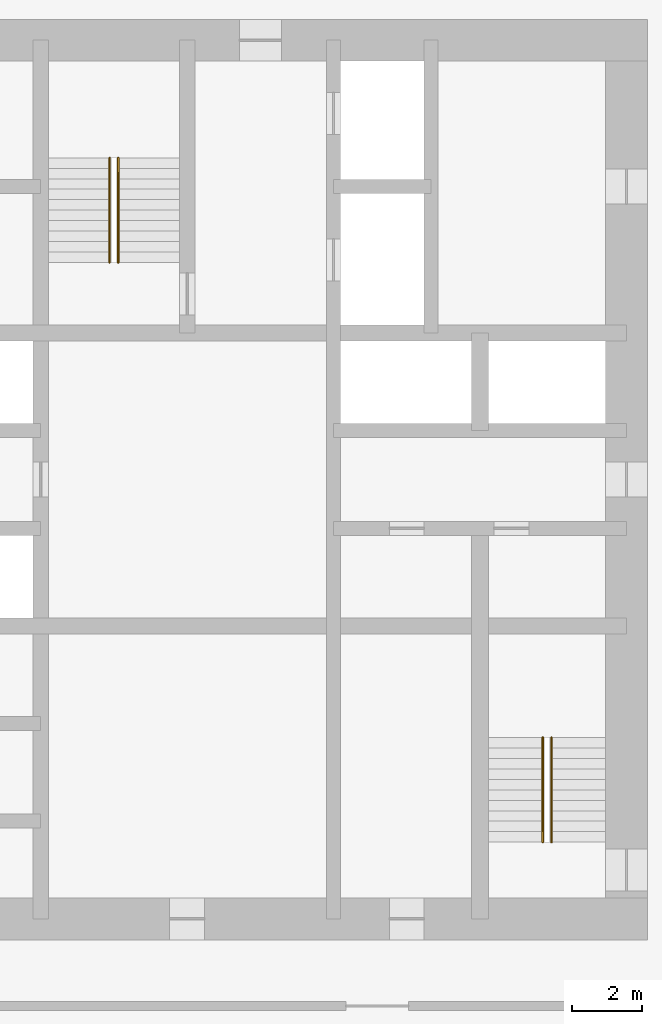
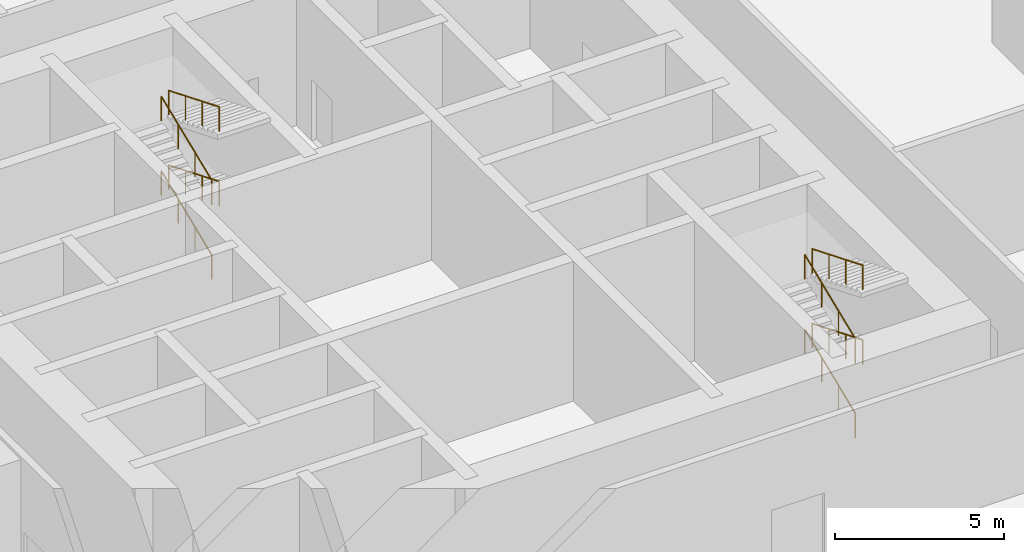
# One storey, part 10 of 10: 8 railings.
"""IFC4 building model written with IfcOpenShell, lengths in metres."""

from ifc_helpers import new_model, si_unit, direction, frame, origin, origin_2d, place, context, subcontext, project, spatial, circle, extrude, material, type_object, element, save


model = new_model("IFC4")

# Units and contexts
model_context = context("Model", 3, precision=1e-05, world=origin(), true_north=direction((0.0, 1.0)))
body_context = subcontext(model_context, "Body", "Model", "MODEL_VIEW")
ifc_project = project(units=[si_unit("LENGTHUNIT", "METRE"), si_unit("AREAUNIT", "SQUARE_METRE"), si_unit("VOLUMEUNIT", "CUBIC_METRE"), si_unit("PLANEANGLEUNIT", "RADIAN"), si_unit("MASSUNIT", "GRAM", prefix="KILO")], contexts=[model_context])

# Site, building, storey
site_placement = place(None, origin())
site = spatial("IfcSite", under=ifc_project, at=site_placement, CompositionType="ELEMENT")
building_placement = place(site_placement, origin())
building = spatial("IfcBuilding", under=site, at=building_placement, Name="Dunama Terrace Hotel", CompositionType="ELEMENT")
storey_placement = place(building_placement, frame((0.0, 0.0, 220.199951171875)))
storey = spatial("IfcBuildingStorey", under=building, at=storey_placement, Name="L57", CompositionType="ELEMENT", Elevation=220.199951171875)

# Railings
ifc_material = material(Name="Stainless steel handrail", Category="steel")
railing_type = type_object("IfcRailingType", Name="Stair handrail 900", PredefinedType="HANDRAIL", material=ifc_material)
railing_1_placement = place(storey_placement, frame((27.175048828125, 35.625, 0.122802734375)))
element("IfcRailing", 1, at=railing_1_placement, inside=storey, type_object=railing_type, Name="Handrail ST1 L57", PredefinedType="HANDRAIL", context=body_context, shape_type="SweptSolid", body=[
    extrude(circle(Radius=0.02392578125, at=origin_2d()), frame((0.0, 0.0, 0.8759765625), z_axis=(0.0, 0.92554455658, 0.37863871142), x_axis=(-1.0, 0.0, 0.0)), (0.0, 0.0, 1.0), 3.241455078125),
    extrude(circle(Radius=0.02099609375, at=origin_2d()), origin(), (0.0, 0.0, 1.0), 0.851806640625),
    extrude(circle(Radius=0.02099609375, at=origin_2d()), frame((0.0, 1.0, 0.4091796875)), (0.0, 0.0, 1.0), 0.851806640625),
    extrude(circle(Radius=0.02099609375, at=origin_2d()), frame((0.0, 2.0, 0.818115234375)), (0.0, 0.0, 1.0), 0.851806640625),
    extrude(circle(Radius=0.02099609375, at=origin_2d()), frame((0.0, 3.0, 1.227294921875)), (0.0, 0.0, 1.0), 0.851806640625),
])
railing_2_placement = place(storey_placement, frame((27.425048828125, 38.625, 1.47265625)))
element("IfcRailing", 2, at=railing_2_placement, inside=storey, type_object=railing_type, Name="Handrail ST1 L57", PredefinedType="HANDRAIL", context=body_context, shape_type="SweptSolid", body=[
    extrude(circle(Radius=0.02392578125, at=origin_2d()), frame((0.0, 0.0, 0.8759765625), z_axis=(0.0, -0.92554455658, 0.37863871142), x_axis=(1.0, 0.0, 0.0)), (0.0, 0.0, 1.0), 3.241455078125),
    extrude(circle(Radius=0.02099609375, at=origin_2d()), origin(), (0.0, 0.0, 1.0), 0.851806640625),
    extrude(circle(Radius=0.02099609375, at=origin_2d()), frame((0.0, -1.0, 0.4091796875)), (0.0, 0.0, 1.0), 0.851806640625),
    extrude(circle(Radius=0.02099609375, at=origin_2d()), frame((0.0, -2.0, 0.818115234375)), (0.0, 0.0, 1.0), 0.851806640625),
    extrude(circle(Radius=0.02099609375, at=origin_2d()), frame((0.0, -3.0, 1.227294921875)), (0.0, 0.0, 1.0), 0.851806640625),
])
railing_3_placement = place(storey_placement, frame((27.175048828125, 35.625, 2.82275390625)))
element("IfcRailing", 3, at=railing_3_placement, inside=storey, type_object=railing_type, Name="Handrail ST1 L57", PredefinedType="HANDRAIL", context=body_context, shape_type="SweptSolid", body=[
    extrude(circle(Radius=0.02392578125, at=origin_2d()), frame((0.0, 0.0, 0.8759765625), z_axis=(0.0, 0.92554455658, 0.37863871142), x_axis=(-1.0, 0.0, 0.0)), (0.0, 0.0, 1.0), 3.241455078125),
    extrude(circle(Radius=0.02099609375, at=origin_2d()), origin(), (0.0, 0.0, 1.0), 0.851806640625),
    extrude(circle(Radius=0.02099609375, at=origin_2d()), frame((0.0, 1.0, 0.4091796875)), (0.0, 0.0, 1.0), 0.851806640625),
    extrude(circle(Radius=0.02099609375, at=origin_2d()), frame((0.0, 2.0, 0.818115234375)), (0.0, 0.0, 1.0), 0.851806640625),
    extrude(circle(Radius=0.02099609375, at=origin_2d()), frame((0.0, 3.0, 1.227294921875)), (0.0, 0.0, 1.0), 0.851806640625),
])
railing_4_placement = place(storey_placement, frame((27.425048828125, 38.625, 4.1728515625)))
element("IfcRailing", 4, at=railing_4_placement, inside=storey, type_object=railing_type, Name="Handrail ST1 L57", PredefinedType="HANDRAIL", context=body_context, shape_type="SweptSolid", body=[
    extrude(circle(Radius=0.02392578125, at=origin_2d()), frame((0.0, 0.0, 0.8759765625), z_axis=(0.0, -0.92554455658, 0.37863871142), x_axis=(1.0, 0.0, 0.0)), (0.0, 0.0, 1.0), 3.241455078125),
    extrude(circle(Radius=0.02099609375, at=origin_2d()), origin(), (0.0, 0.0, 1.0), 0.851806640625),
    extrude(circle(Radius=0.02099609375, at=origin_2d()), frame((0.0, -1.0, 0.4091796875)), (0.0, 0.0, 1.0), 0.851806640625),
    extrude(circle(Radius=0.02099609375, at=origin_2d()), frame((0.0, -2.0, 0.818115234375)), (0.0, 0.0, 1.0), 0.851806640625),
    extrude(circle(Radius=0.02099609375, at=origin_2d()), frame((0.0, -3.0, 1.227294921875)), (0.0, 0.0, 1.0), 0.851806640625),
])
railing_5_placement = place(storey_placement, frame((39.60009765625, 19.0, 0.122802734375)))
element("IfcRailing", 5, at=railing_5_placement, inside=storey, type_object=railing_type, Name="Handrail ST2 L57", PredefinedType="HANDRAIL", context=body_context, shape_type="SweptSolid", body=[
    extrude(circle(Radius=0.02392578125, at=origin_2d()), frame((0.0, 0.0, 0.8759765625), z_axis=(0.0, 0.92554455658, 0.37863871142), x_axis=(-1.0, 0.0, 0.0)), (0.0, 0.0, 1.0), 3.241455078125),
    extrude(circle(Radius=0.02099609375, at=origin_2d()), origin(), (0.0, 0.0, 1.0), 0.851806640625),
    extrude(circle(Radius=0.02099609375, at=origin_2d()), frame((0.0, 1.0, 0.4091796875)), (0.0, 0.0, 1.0), 0.851806640625),
    extrude(circle(Radius=0.02099609375, at=origin_2d()), frame((0.0, 2.0, 0.818115234375)), (0.0, 0.0, 1.0), 0.851806640625),
    extrude(circle(Radius=0.02099609375, at=origin_2d()), frame((0.0, 3.0, 1.227294921875)), (0.0, 0.0, 1.0), 0.851806640625),
])
railing_6_placement = place(storey_placement, frame((39.85009765625, 22.0, 1.47265625)))
element("IfcRailing", 6, at=railing_6_placement, inside=storey, type_object=railing_type, Name="Handrail ST2 L57", PredefinedType="HANDRAIL", context=body_context, shape_type="SweptSolid", body=[
    extrude(circle(Radius=0.02392578125, at=origin_2d()), frame((0.0, 0.0, 0.8759765625), z_axis=(0.0, -0.92554455658, 0.37863871142), x_axis=(1.0, 0.0, 0.0)), (0.0, 0.0, 1.0), 3.241455078125),
    extrude(circle(Radius=0.02099609375, at=origin_2d()), origin(), (0.0, 0.0, 1.0), 0.851806640625),
    extrude(circle(Radius=0.02099609375, at=origin_2d()), frame((0.0, -1.0, 0.4091796875)), (0.0, 0.0, 1.0), 0.851806640625),
    extrude(circle(Radius=0.02099609375, at=origin_2d()), frame((0.0, -2.0, 0.818115234375)), (0.0, 0.0, 1.0), 0.851806640625),
    extrude(circle(Radius=0.02099609375, at=origin_2d()), frame((0.0, -3.0, 1.227294921875)), (0.0, 0.0, 1.0), 0.851806640625),
])
railing_7_placement = place(storey_placement, frame((39.60009765625, 19.0, 2.82275390625)))
element("IfcRailing", 7, at=railing_7_placement, inside=storey, type_object=railing_type, Name="Handrail ST2 L57", PredefinedType="HANDRAIL", context=body_context, shape_type="SweptSolid", body=[
    extrude(circle(Radius=0.02392578125, at=origin_2d()), frame((0.0, 0.0, 0.8759765625), z_axis=(0.0, 0.92554455658, 0.37863871142), x_axis=(-1.0, 0.0, 0.0)), (0.0, 0.0, 1.0), 3.241455078125),
    extrude(circle(Radius=0.02099609375, at=origin_2d()), origin(), (0.0, 0.0, 1.0), 0.851806640625),
    extrude(circle(Radius=0.02099609375, at=origin_2d()), frame((0.0, 1.0, 0.4091796875)), (0.0, 0.0, 1.0), 0.851806640625),
    extrude(circle(Radius=0.02099609375, at=origin_2d()), frame((0.0, 2.0, 0.818115234375)), (0.0, 0.0, 1.0), 0.851806640625),
    extrude(circle(Radius=0.02099609375, at=origin_2d()), frame((0.0, 3.0, 1.227294921875)), (0.0, 0.0, 1.0), 0.851806640625),
])
railing_8_placement = place(storey_placement, frame((39.85009765625, 22.0, 4.1728515625)))
element("IfcRailing", 8, at=railing_8_placement, inside=storey, type_object=railing_type, Name="Handrail ST2 L57", PredefinedType="HANDRAIL", context=body_context, shape_type="SweptSolid", body=[
    extrude(circle(Radius=0.02392578125, at=origin_2d()), frame((0.0, 0.0, 0.8759765625), z_axis=(0.0, -0.92554455658, 0.37863871142), x_axis=(1.0, 0.0, 0.0)), (0.0, 0.0, 1.0), 3.241455078125),
    extrude(circle(Radius=0.02099609375, at=origin_2d()), origin(), (0.0, 0.0, 1.0), 0.851806640625),
    extrude(circle(Radius=0.02099609375, at=origin_2d()), frame((0.0, -1.0, 0.4091796875)), (0.0, 0.0, 1.0), 0.851806640625),
    extrude(circle(Radius=0.02099609375, at=origin_2d()), frame((0.0, -2.0, 0.818115234375)), (0.0, 0.0, 1.0), 0.851806640625),
    extrude(circle(Radius=0.02099609375, at=origin_2d()), frame((0.0, -3.0, 1.227294921875)), (0.0, 0.0, 1.0), 0.851806640625),
])

save(model, "model.ifc")
